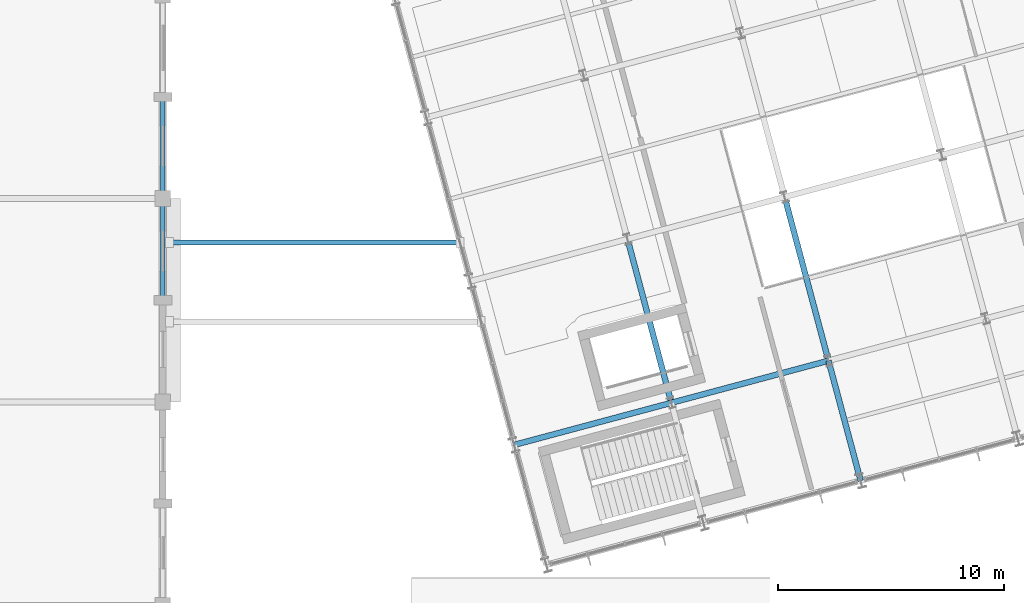
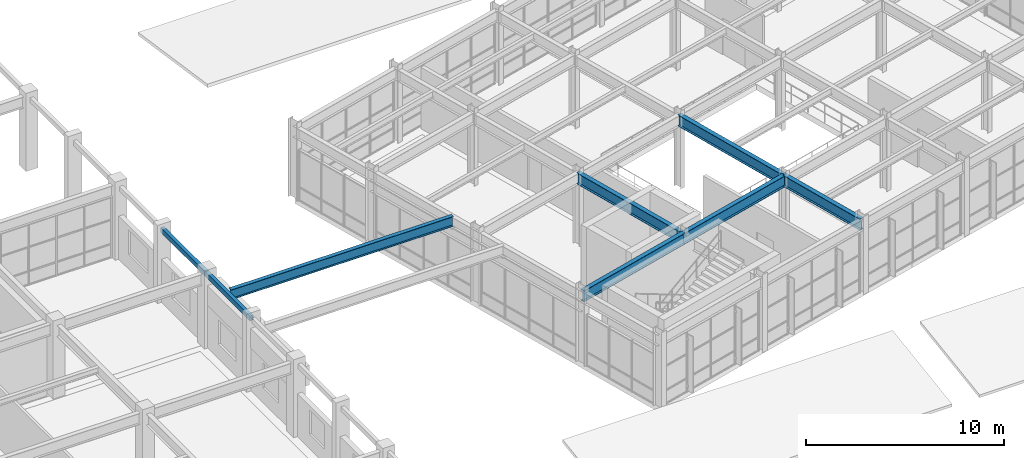
# One storey, part 37 of 104: 8 beams.
"""IFC4 building model written with IfcOpenShell, lengths in metres."""

import ifcopenshell
import ifcopenshell.guid

model = None  # the IFC model being written
_history = None  # IfcOwnerHistory: only IFC2X3 demands one
_inside = {}  # id of a spatial element -> (the spatial element, [elements in it])
_under = {}  # id of a project, library or spatial element -> (it, [spatial elements below it])
_declared = {}  # id of a project -> (the project, [libraries it declares])
_typed = {}  # id of a type object -> (the type object, [elements of that type])
_made_of = {}  # id of a material, layer set ... -> (it, [elements and type objects made of it])


def new_model(schema):
    """Start an empty IFC model of exactly this schema.

    Asked for "IFC4X3", IfcOpenShell would pick the latest addendum, in which some entities
    have other attributes; the version numbers below select the first issue.
    IFC2X3 requires an IfcOwnerHistory on every rooted entity: one is made here for all.
    """
    global model, _history
    if schema == "IFC4X3":
        model = ifcopenshell.file(schema_version=(4, 3, 0, 0))
    else:
        model = ifcopenshell.file(schema=schema)
    _inside.clear()
    _under.clear()
    _declared.clear()
    _typed.clear()
    _made_of.clear()
    _history = None
    if model.schema == "IFC2X3":
        org = make("IfcOrganization", Name="unknown")
        user = make(
            "IfcPersonAndOrganization",
            ThePerson=make("IfcPerson", FamilyName="unknown"),
            TheOrganization=org,
        )
        app = make(
            "IfcApplication",
            ApplicationDeveloper=org,
            Version="unknown",
            ApplicationFullName="unknown",
            ApplicationIdentifier="unknown",
        )
        _history = make(
            "IfcOwnerHistory",
            OwningUser=user,
            OwningApplication=app,
            ChangeAction="ADDED",
            CreationDate=0,
        )
    return model


def make(cls, **values):
    """One entity of the class cls with the attributes given. An attribute that is None is left unset."""
    return model.create_entity(
        cls, **{name: value for name, value in values.items() if value is not None}
    )


def rooted(cls, **values):
    """An entity with a GlobalId (a new one), such as an element, a storey or a relation."""
    return make(cls, GlobalId=ifcopenshell.guid.new(), OwnerHistory=_history, **values)


def si_unit(unit_type, name, prefix=None):
    """IfcSIUnit, for example si_unit("LENGTHUNIT", "METRE", prefix="MILLI")."""
    return make("IfcSIUnit", UnitType=unit_type, Prefix=prefix, Name=name)


def assignment(units):
    """IfcUnitAssignment: the units of a project."""
    return None if units is None else make("IfcUnitAssignment", Units=units)


def point(xyz):
    """IfcCartesianPoint."""
    return None if xyz is None else make("IfcCartesianPoint", Coordinates=xyz)


def direction(xyz):
    """IfcDirection."""
    return None if xyz is None else make("IfcDirection", DirectionRatios=xyz)


def frame(location, z_axis=None, x_axis=None):
    """IfcAxis2Placement3D, a coordinate frame: its origin and axes. An axis left out is left unset."""
    return make(
        "IfcAxis2Placement3D",
        Location=point(location),
        Axis=direction(z_axis),
        RefDirection=direction(x_axis),
    )


def frame_2d(location, x_axis=None):
    """IfcAxis2Placement2D, a coordinate frame in the plane: its origin and x axis."""
    return make(
        "IfcAxis2Placement2D", Location=point(location), RefDirection=direction(x_axis)
    )


def origin():
    """The frame at (0, 0, 0) with its axes left unset."""
    return frame((0.0, 0.0, 0.0))


def origin_2d():
    """The frame at (0, 0) in the plane with its x axis left unset."""
    return frame_2d((0.0, 0.0))


def place(relative_to, where):
    """IfcLocalPlacement: puts the frame where relative to a parent placement (None: the world)."""
    return make(
        "IfcLocalPlacement", PlacementRelTo=relative_to, RelativePlacement=where
    )


def context(
    kind, dimensions, precision=None, world=None, true_north=None, identifier=None
):
    """IfcGeometricRepresentationContext, for example the 3D "Model" context."""
    return make(
        "IfcGeometricRepresentationContext",
        ContextIdentifier=identifier,
        ContextType=kind,
        CoordinateSpaceDimension=dimensions,
        Precision=precision,
        WorldCoordinateSystem=world,
        TrueNorth=true_north,
    )


def subcontext(parent, identifier, kind, view, scale=None):
    """IfcGeometricRepresentationSubContext, for example "Body" below "Model"."""
    return make(
        "IfcGeometricRepresentationSubContext",
        ContextIdentifier=identifier,
        ContextType=kind,
        ParentContext=parent,
        TargetScale=scale,
        TargetView=view,
    )


def project(units=None, contexts=None):
    """IfcProject with its units and contexts."""
    return rooted(
        "IfcProject",
        Name="project",
        RepresentationContexts=contexts,
        UnitsInContext=assignment(units),
    )


def spatial(cls, under=None, at=None, **own):
    """A site, building, storey or space (cls), placed at a placement, below another one or the project."""
    s = rooted(cls, ObjectPlacement=at, **own)
    if under is not None:
        _under.setdefault(under.id(), (under, []))[1].append(s)
    return s


def profile(cls, at=None, kind="AREA", **sizes):
    """A parametric profile (cls). Its sizes go by their IFC names, for example OverallWidth=200.0."""
    return make(cls, ProfileType=kind, Position=at, **sizes)


def hollow_rectangle(**sizes):
    """IfcRectangleHollowProfileDef."""
    return profile("IfcRectangleHollowProfileDef", **sizes)


def i_section(**sizes):
    """IfcIShapeProfileDef."""
    return profile("IfcIShapeProfileDef", **sizes)


def extrude(swept, where, along, depth):
    """IfcExtrudedAreaSolid: the profile swept, set in the frame where, extruded along a direction by depth."""
    return make(
        "IfcExtrudedAreaSolid",
        SweptArea=swept,
        Position=where,
        ExtrudedDirection=direction(along),
        Depth=depth,
    )


def shape(context_of_items, identifier, shape_type, items):
    """IfcShapeRepresentation: the items that make up one representation, for example the "Body"."""
    return make(
        "IfcShapeRepresentation",
        ContextOfItems=context_of_items,
        RepresentationIdentifier=identifier,
        RepresentationType=shape_type,
        Items=items,
    )


def material(Name=None, Category=None):
    """IfcMaterial."""
    return make("IfcMaterial", Name=Name, Category=Category)


def material_profile(
    of_material, cross_section, Name=None, Category=None, Priority=None
):
    """IfcMaterialProfile: a cross section and its material."""
    return make(
        "IfcMaterialProfile",
        Name=Name,
        Material=of_material,
        Profile=cross_section,
        Priority=Priority,
        Category=Category,
    )


def profile_set(profiles, Name=None, composite=None):
    """IfcMaterialProfileSet."""
    return make(
        "IfcMaterialProfileSet",
        Name=Name,
        MaterialProfiles=profiles,
        CompositeProfile=composite,
    )


def made_of(thing, what):
    """Note that an element or type object is made of a material, layer set ...; save() writes the relation."""
    if what is not None:
        _made_of.setdefault(what.id(), (what, []))[1].append(thing)
    return thing


def type_object(cls, material=None, **own):
    """A type object (cls), such as IfcWallType, which elements share."""
    return made_of(rooted(cls, **own), material)


def element(
    cls,
    number,
    at=None,
    inside=None,
    cuts=None,
    type_object=None,
    material=None,
    context=None,
    identifier="Body",
    shape_type=None,
    held_by="IfcProductDefinitionShape",
    body=None,
    shapes=None,
    **own,
):
    """One element of the class cls, such as IfcWall. Its Tag is "e" and its number.

    at: its placement. inside: the storey or other place that contains it. cuts: it is an
    opening in that element (IfcRelVoidsElement). A single representation is given by context,
    identifier, shape_type and body (its items); several are given by shapes. held_by: the class
    of the entity that holds the representations. save() writes the other relations.
    """
    e = rooted(cls, Tag="e%d" % number, ObjectPlacement=at, **own)
    if body is not None:
        shapes = [shape(context, identifier, shape_type, body)]
    if shapes is not None:
        e.Representation = make(held_by, Representations=shapes)
    if inside is not None:
        _inside.setdefault(inside.id(), (inside, []))[1].append(e)
    if cuts is not None:
        rooted(
            "IfcRelVoidsElement", RelatingBuildingElement=cuts, RelatedOpeningElement=e
        )
    if type_object is not None:
        _typed.setdefault(type_object.id(), (type_object, []))[1].append(e)
    return made_of(e, material)


def aggregate(whole, parts):
    """IfcRelAggregates: a whole, such as a stair, and the parts it consists of."""
    return rooted("IfcRelAggregates", RelatingObject=whole, RelatedObjects=parts)


def save(model, path):
    """Write the relations noted so far, then the file.

    IfcRelAggregates (storeys below a building ...), IfcRelContainedInSpatialStructure (elements
    in a storey), IfcRelDefinesByType, IfcRelAssociatesMaterial and IfcRelDeclares: one each for
    every whole, place, type object, material and project.
    """
    for whole, parts in _under.values():
        aggregate(whole, parts)
    for where, things in _inside.values():
        rooted(
            "IfcRelContainedInSpatialStructure",
            RelatedElements=things,
            RelatingStructure=where,
        )
    for kind, things in _typed.values():
        rooted("IfcRelDefinesByType", RelatedObjects=things, RelatingType=kind)
    for what, things in _made_of.values():
        rooted("IfcRelAssociatesMaterial", RelatedObjects=things, RelatingMaterial=what)
    for by, libraries in _declared.values():
        rooted("IfcRelDeclares", RelatingContext=by, RelatedDefinitions=libraries)
    model.write(path)


model = new_model("IFC4")

# Units and contexts
model_context = context("Model", 3, precision=1e-05, world=origin(), true_north=direction((0.0, 1.0)))
body_context = subcontext(model_context, "Body", "Model", "MODEL_VIEW")
ifc_project = project(units=[si_unit("LENGTHUNIT", "METRE"), si_unit("AREAUNIT", "SQUARE_METRE"), si_unit("VOLUMEUNIT", "CUBIC_METRE"), si_unit("PLANEANGLEUNIT", "RADIAN"), si_unit("MASSUNIT", "GRAM", prefix="KILO")], contexts=[model_context])

# Site, building, storey
site_placement = place(None, origin())
site = spatial("IfcSite", under=ifc_project, at=site_placement, CompositionType="ELEMENT")
building_placement = place(site_placement, origin())
building = spatial("IfcBuilding", under=site, at=building_placement, Name="Ventoquebrada Cableway Terminal", CompositionType="ELEMENT")
storey_placement = place(building_placement, frame((0.0, 0.0, 4.800048828125)))
storey = spatial("IfcBuildingStorey", under=building, at=storey_placement, Name="L01", CompositionType="ELEMENT", Elevation=4.800048828125)

# Beams
ifc_material_1 = material(Name="Steel ASTM A992 Grade 50", Category="steel")
ifc_material_profile_1 = material_profile(ifc_material_1, i_section(OverallWidth=0.22900390625, OverallDepth=0.612060546875, WebThickness=0.011962890625, FlangeThickness=0.01953125, at=origin_2d()), Name="W24X84")
ifc_profile_set_1 = profile_set([ifc_material_profile_1], Name="Steel ASTM A992 Grade 50")
beam_type_1 = type_object("IfcBeamType", Name="BM-ST02", PredefinedType="BEAM", material=ifc_profile_set_1)
beam_1_placement = place(storey_placement, frame((35.22509765625, 84.050048828125, 4.1689453125), z_axis=(1.0, 0.0, 0.0), x_axis=(0.0, 1.0, 0.0)))
element("IfcBeam", 1, at=beam_1_placement, inside=storey, type_object=beam_type_1, Name="Link bridge girder LP-2 FBM-1112", PredefinedType="BEAM", context=body_context, shape_type="SweptSolid", body=[
    extrude(i_section(OverallWidth=0.22900390625, OverallDepth=0.612060546875, WebThickness=0.011962890625, FlangeThickness=0.01953125, at=origin_2d()), origin(), (0.0, 0.0, 1.0), 12.929931640625),
])
ifc_material_profile_2 = material_profile(ifc_material_1, i_section(OverallWidth=0.25390625, OverallDepth=0.68798828125, WebThickness=0.01318359375, FlangeThickness=0.02099609375, at=origin_2d()), Name="W27X102")
ifc_profile_set_2 = profile_set([ifc_material_profile_2], Name="Steel ASTM A992 Grade 50")
beam_type_2 = type_object("IfcBeamType", Name="BM-ST04", PredefinedType="BEAM", material=ifc_profile_set_2)
beam_2_placement = place(storey_placement, frame((57.509033203125, 76.9599609375, 4.130859375), z_axis=(-0.258768624905, 0.96593933493, 0.0), x_axis=(-0.96593933493, -0.258768624905, 0.0)))
element("IfcBeam", 2, at=beam_2_placement, inside=storey, type_object=beam_type_2, Name="Splayed station girder FBM-1022", PredefinedType="BEAM", context=body_context, shape_type="SweptSolid", body=[
    extrude(i_section(OverallWidth=0.25390625, OverallDepth=0.68798828125, WebThickness=0.01318359375, FlangeThickness=0.02099609375, at=origin_2d()), origin(), (0.0, 0.0, 1.0), 7.50048828125),
])
beam_3_placement = place(storey_placement, frame((65.886962890625, 73.510986328125, 4.130859375), z_axis=(-0.258690231517, 0.96596033258, 0.0), x_axis=(-0.96596033258, -0.258690231517, 0.0)))
element("IfcBeam", 3, at=beam_3_placement, inside=storey, type_object=beam_type_2, Name="Splayed station girder FBM-1025", PredefinedType="BEAM", context=body_context, shape_type="SweptSolid", body=[
    extrude(i_section(OverallWidth=0.25390625, OverallDepth=0.68798828125, WebThickness=0.01318359375, FlangeThickness=0.02099609375, at=origin_2d()), origin(), (0.0, 0.0, 1.0), 5.500244140625),
])
beam_4_placement = place(storey_placement, frame((64.464111328125, 78.823974609375, 4.130859375), z_axis=(-0.258831545324, 0.965922476778, 0.0), x_axis=(-0.965922476778, -0.258831545324, 0.0)))
element("IfcBeam", 4, at=beam_4_placement, inside=storey, type_object=beam_type_2, Name="Splayed station girder FBM-1026", PredefinedType="BEAM", context=body_context, shape_type="SweptSolid", body=[
    extrude(i_section(OverallWidth=0.25390625, OverallDepth=0.68798828125, WebThickness=0.01318359375, FlangeThickness=0.02099609375, at=origin_2d()), origin(), (0.0, 0.0, 1.0), 7.499755859375),
])
beam_5_placement = place(storey_placement, frame((50.553955078125, 75.096923828125, 4.130859375), z_axis=(0.965945630245, 0.258745124417, 0.0), x_axis=(-0.258745124417, 0.965945630245, 0.0)))
element("IfcBeam", 5, at=beam_5_placement, inside=storey, type_object=beam_type_2, Name="Splayed station girder FBM-1046", PredefinedType="BEAM", context=body_context, shape_type="SweptSolid", body=[
    extrude(i_section(OverallWidth=0.25390625, OverallDepth=0.68798828125, WebThickness=0.01318359375, FlangeThickness=0.02099609375, at=origin_2d()), origin(), (0.0, 0.0, 1.0), 7.2001953125),
])
beam_6_placement = place(storey_placement, frame((57.509033203125, 76.9599609375, 4.130859375), z_axis=(0.96591172503, 0.258871665986, 0.0), x_axis=(-0.258871665986, 0.96591172503, 0.0)))
element("IfcBeam", 6, at=beam_6_placement, inside=storey, type_object=beam_type_2, Name="Splayed station girder FBM-1047", PredefinedType="BEAM", context=body_context, shape_type="SweptSolid", body=[
    extrude(i_section(OverallWidth=0.25390625, OverallDepth=0.68798828125, WebThickness=0.01318359375, FlangeThickness=0.02099609375, at=origin_2d()), origin(), (0.0, 0.0, 1.0), 7.200439453125),
])
ifc_material_2 = material(Name="Steel ASTM A500 Grade C", Category="steel")
ifc_material_profile_3 = material_profile(ifc_material_2, hollow_rectangle(XDim=0.199951171875, YDim=0.300048828125, WallThickness=0.012451171875, at=origin_2d()), Name="RHS300X200X12.5")
ifc_profile_set_3 = profile_set([ifc_material_profile_3], Name="Steel ASTM A500 Grade C")
beam_type_3 = type_object("IfcBeamType", Name="SP-ST02", PredefinedType="SPANDREL", material=ifc_profile_set_3)
for number, where, z_axis, x_axis, name in (
    (7, (35.0, 81.5, 4.31494140625), (0.0, 1.0, 0.0), (-1.0, 0.0, 0.0), "Perimeter spandrel beam FBM-0431"),
    (8, (35.0, 86.0, 4.31494140625), (0.0, 1.0, 0.0), (-1.0, 0.0, 0.0), "Perimeter spandrel beam FBM-0432"),
):
    element("IfcBeam", number, at=place(storey_placement, frame(where, z_axis=z_axis, x_axis=x_axis)), inside=storey, type_object=beam_type_3, Name=name, PredefinedType="SPANDREL", context=body_context, shape_type="SweptSolid", body=[
        extrude(hollow_rectangle(XDim=0.199951171875, YDim=0.300048828125, WallThickness=0.012451171875, at=origin_2d()), origin(), (0.0, 0.0, 1.0), 4.5),
    ])

save(model, "model.ifc")
